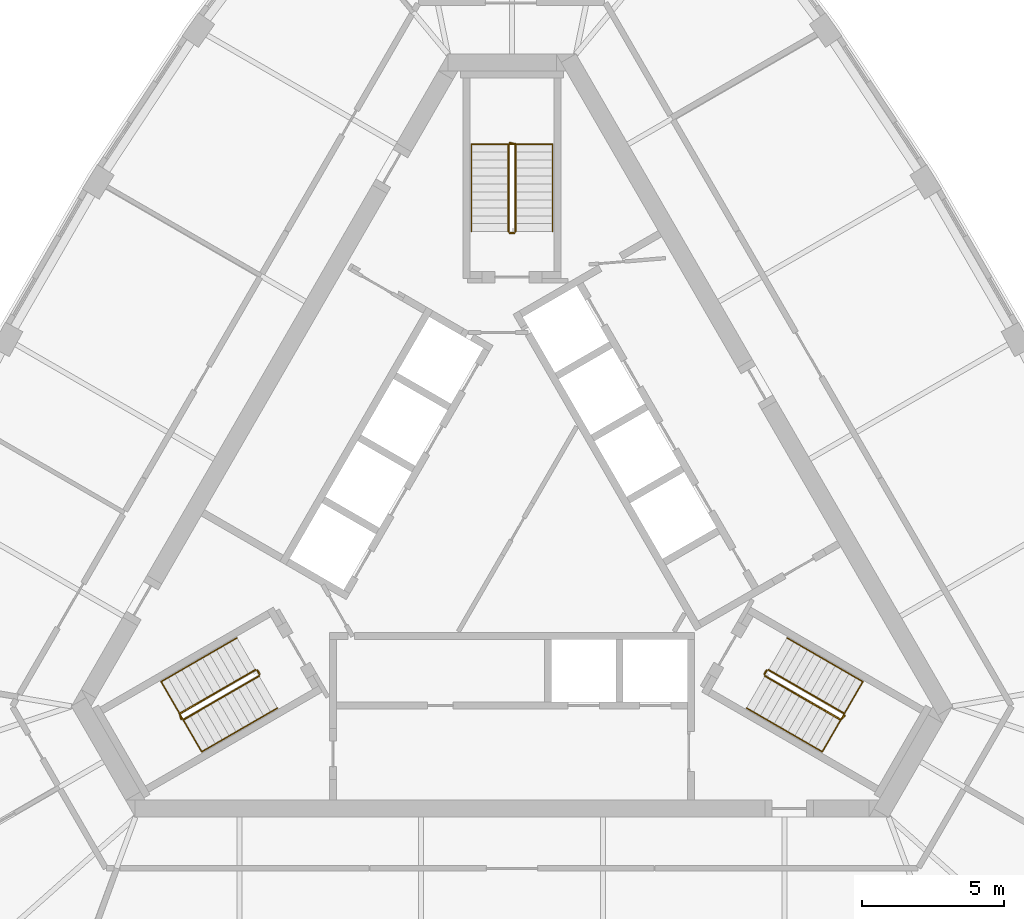
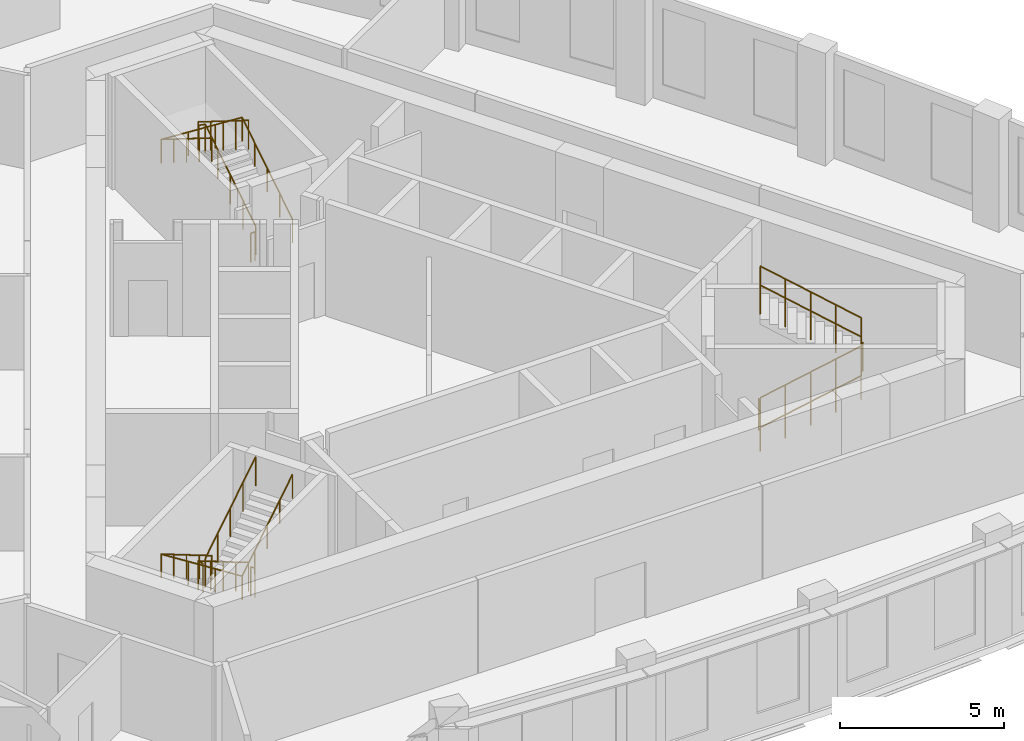
# One storey, part 8 of 8: 12 railings.
"""IFC4 building model written with IfcOpenShell, lengths in metres."""

from ifc_helpers import new_model, si_unit, direction, frame, origin, origin_2d, place, context, subcontext, project, spatial, circle, extrude, material, type_object, element, save


model = new_model("IFC4")

# Units and contexts
model_context = context("Model", 3, precision=1e-05, world=origin(), true_north=direction((0.0, 1.0)))
body_context = subcontext(model_context, "Body", "Model", "MODEL_VIEW")
ifc_project = project(units=[si_unit("LENGTHUNIT", "METRE"), si_unit("AREAUNIT", "SQUARE_METRE"), si_unit("VOLUMEUNIT", "CUBIC_METRE"), si_unit("PLANEANGLEUNIT", "RADIAN"), si_unit("MASSUNIT", "GRAM", prefix="KILO")], contexts=[model_context])

# Site, building, storey
site_placement = place(None, origin())
site = spatial("IfcSite", under=ifc_project, at=site_placement, CompositionType="ELEMENT")
building_placement = place(site_placement, origin())
building = spatial("IfcBuilding", under=site, at=building_placement, Name="Mestral Congress Tower", CompositionType="ELEMENT")
storey_placement = place(building_placement, frame((0.0, 0.0, 317.39990234375)))
storey = spatial("IfcBuildingStorey", under=building, at=storey_placement, Name="L74", CompositionType="ELEMENT", Elevation=317.39990234375)

# Railings
ifc_material_1 = material(Name="Steel balustrade", Category="steel")
railing_type_1 = type_object("IfcRailingType", Name="Stair guard 1100", PredefinedType="GUARDRAIL", material=ifc_material_1)
railing_1_placement = place(storey_placement, frame((8.90087890625, -5.283203125, 0.175048828125)))
element("IfcRailing", 1, at=railing_1_placement, inside=storey, type_object=railing_type_1, Name="L74 ST1 stair guard 1", PredefinedType="GUARDRAIL", context=body_context, shape_type="SweptSolid", body=[
    extrude(circle(Radius=0.02392578125, at=origin_2d()), frame((0.0, 0.0, 1.076171875), z_axis=(0.734364028329, -0.424015404183, 0.530019255228), x_axis=(0.500026652407, 0.866010015463, 0.0)), (0.0, 0.0, 1.0), 3.632080078125),
    extrude(circle(Radius=0.02392578125, at=origin_2d()), frame((2.667236328125, -1.5400390625, 3.0009765625), z_axis=(0.695164929852, 0.718850276695, 0.0), x_axis=(-0.718850276695, 0.695164929852, 0.0)), (0.0, 0.0, 1.0), 0.2060546875),
    extrude(circle(Radius=0.02099609375, at=origin_2d()), origin(), (0.0, 0.0, 1.0), 1.052001953125),
    extrude(circle(Radius=0.02099609375, at=origin_2d()), frame((0.666748046875, -0.385009765625, 0.481201171875)), (0.0, 0.0, 1.0), 1.052001953125),
    extrude(circle(Radius=0.02099609375, at=origin_2d()), frame((1.33349609375, -0.77001953125, 0.96240234375)), (0.0, 0.0, 1.0), 1.052001953125),
    extrude(circle(Radius=0.02099609375, at=origin_2d()), frame((2.00048828125, -1.155029296875, 1.44384765625)), (0.0, 0.0, 1.0), 1.052001953125),
    extrude(circle(Radius=0.02099609375, at=origin_2d()), frame((2.667236328125, -1.5400390625, 1.925048828125)), (0.0, 0.0, 1.0), 1.052001953125),
    extrude(circle(Radius=0.02099609375, at=origin_2d()), frame((2.810546875, -1.391845703125, 1.925048828125)), (0.0, 0.0, 1.0), 1.052001953125),
])
railing_2_placement = place(storey_placement, frame((11.693115234375, -6.606689453125, 2.275146484375)))
element("IfcRailing", 2, at=railing_2_placement, inside=storey, type_object=railing_type_1, Name="L74 ST1 stair guard 2", PredefinedType="GUARDRAIL", context=body_context, shape_type="SweptSolid", body=[
    extrude(circle(Radius=0.02392578125, at=origin_2d()), frame((0.0, 0.0, 1.076171875), z_axis=(-0.734364028329, 0.424015404183, 0.530019255228), x_axis=(-0.500026652407, -0.866010015463, 0.0)), (0.0, 0.0, 1.0), 3.632080078125),
    extrude(circle(Radius=0.02099609375, at=origin_2d()), origin(), (0.0, 0.0, 1.0), 1.052001953125),
    extrude(circle(Radius=0.02099609375, at=origin_2d()), frame((-0.666748046875, 0.385009765625, 0.481201171875)), (0.0, 0.0, 1.0), 1.052001953125),
    extrude(circle(Radius=0.02099609375, at=origin_2d()), frame((-1.33349609375, 0.77001953125, 0.96240234375)), (0.0, 0.0, 1.0), 1.052001953125),
    extrude(circle(Radius=0.02099609375, at=origin_2d()), frame((-2.00048828125, 1.155029296875, 1.44384765625)), (0.0, 0.0, 1.0), 1.052001953125),
    extrude(circle(Radius=0.02099609375, at=origin_2d()), frame((-2.667236328125, 1.5400390625, 1.925048828125)), (0.0, 0.0, 1.0), 1.052001953125),
])
railing_3_placement = place(storey_placement, frame((8.882568359375, -5.21484375, 0.0)))
element("IfcRailing", 3, at=railing_3_placement, inside=storey, type_object=railing_type_1, Name="L74 ST1 stair guard 3", PredefinedType="GUARDRAIL", context=body_context, shape_type="SweptSolid", body=[
    extrude(circle(Radius=0.02392578125, at=origin_2d()), frame((0.0, 0.0, 1.076171875), z_axis=(0.499816412211, 0.866131372301, 0.0), x_axis=(-0.866131372301, 0.499816412211, 0.0)), (0.0, 0.0, 1.0), 0.14990234375),
    extrude(circle(Radius=0.02099609375, at=origin_2d()), origin(), (0.0, 0.0, 1.0), 1.052001953125),
    extrude(circle(Radius=0.02099609375, at=origin_2d()), frame((0.074951171875, 0.1298828125, 0.0)), (0.0, 0.0, 1.0), 1.052001953125),
])
railing_4_placement = place(storey_placement, frame((0.125, 10.35009765625, 0.175048828125)))
element("IfcRailing", 4, at=railing_4_placement, inside=storey, type_object=railing_type_1, Name="L74 ST2 stair guard 1", PredefinedType="GUARDRAIL", context=body_context, shape_type="SweptSolid", body=[
    extrude(circle(Radius=0.02392578125, at=origin_2d()), frame((0.0, 0.0, 1.076171875), z_axis=(0.0, 0.847979421464, 0.530029150871), x_axis=(-1.0, 0.0, 0.0)), (0.0, 0.0, 1.0), 3.632080078125),
    extrude(circle(Radius=0.02392578125, at=origin_2d()), frame((0.0, 3.079833984375, 3.0009765625), z_axis=(-0.970072785993, 0.242814311512, 0.0), x_axis=(-0.242814311512, -0.970072785993, 0.0)), (0.0, 0.0, 1.0), 0.2060546875),
    extrude(circle(Radius=0.02099609375, at=origin_2d()), origin(), (0.0, 0.0, 1.0), 1.052001953125),
    extrude(circle(Radius=0.02099609375, at=origin_2d()), frame((0.0, 0.77001953125, 0.481201171875)), (0.0, 0.0, 1.0), 1.052001953125),
    extrude(circle(Radius=0.02099609375, at=origin_2d()), frame((0.0, 1.5400390625, 0.96240234375)), (0.0, 0.0, 1.0), 1.052001953125),
    extrude(circle(Radius=0.02099609375, at=origin_2d()), frame((0.0, 2.309814453125, 1.44384765625)), (0.0, 0.0, 1.0), 1.052001953125),
    extrude(circle(Radius=0.02099609375, at=origin_2d()), frame((0.0, 3.079833984375, 1.925048828125)), (0.0, 0.0, 1.0), 1.052001953125),
    extrude(circle(Radius=0.02099609375, at=origin_2d()), frame((-0.199951171875, 3.1298828125, 1.925048828125)), (0.0, 0.0, 1.0), 1.052001953125),
])
railing_5_placement = place(storey_placement, frame((-0.125, 13.429931640625, 2.275146484375)))
element("IfcRailing", 5, at=railing_5_placement, inside=storey, type_object=railing_type_1, Name="L74 ST2 stair guard 2", PredefinedType="GUARDRAIL", context=body_context, shape_type="SweptSolid", body=[
    extrude(circle(Radius=0.02392578125, at=origin_2d()), frame((0.0, 0.0, 1.076171875), z_axis=(0.0, -0.847979421464, 0.530029150871), x_axis=(1.0, 0.0, 0.0)), (0.0, 0.0, 1.0), 3.632080078125),
    extrude(circle(Radius=0.02099609375, at=origin_2d()), origin(), (0.0, 0.0, 1.0), 1.052001953125),
    extrude(circle(Radius=0.02099609375, at=origin_2d()), frame((0.0, -0.77001953125, 0.481201171875)), (0.0, 0.0, 1.0), 1.052001953125),
    extrude(circle(Radius=0.02099609375, at=origin_2d()), frame((0.0, -1.5400390625, 0.96240234375)), (0.0, 0.0, 1.0), 1.052001953125),
    extrude(circle(Radius=0.02099609375, at=origin_2d()), frame((0.0, -2.309814453125, 1.44384765625)), (0.0, 0.0, 1.0), 1.052001953125),
    extrude(circle(Radius=0.02099609375, at=origin_2d()), frame((0.0, -3.079833984375, 1.925048828125)), (0.0, 0.0, 1.0), 1.052001953125),
])
railing_6_placement = place(storey_placement, frame((0.074951171875, 10.300048828125, 0.0)))
element("IfcRailing", 6, at=railing_6_placement, inside=storey, type_object=railing_type_1, Name="L74 ST2 stair guard 3", PredefinedType="GUARDRAIL", context=body_context, shape_type="SweptSolid", body=[
    extrude(circle(Radius=0.02392578125, at=origin_2d()), frame((0.0, 0.0, 1.076171875), z_axis=(-1.0, 0.0, 0.0), x_axis=(0.0, -1.0, 0.0)), (0.0, 0.0, 1.0), 0.14990234375),
    extrude(circle(Radius=0.02099609375, at=origin_2d()), origin(), (0.0, 0.0, 1.0), 1.052001953125),
    extrude(circle(Radius=0.02099609375, at=origin_2d()), frame((-0.14990234375, 0.0, 0.0)), (0.0, 0.0, 1.0), 1.052001953125),
])
railing_7_placement = place(storey_placement, frame((-9.02587890625, -5.066650390625, 0.175048828125)))
element("IfcRailing", 7, at=railing_7_placement, inside=storey, type_object=railing_type_1, Name="L74 ST3 stair guard 1", PredefinedType="GUARDRAIL", context=body_context, shape_type="SweptSolid", body=[
    extrude(circle(Radius=0.02392578125, at=origin_2d()), frame((0.0, 0.0, 1.076171875), z_axis=(-0.734364028329, -0.424015404183, 0.530019255228), x_axis=(0.500026652407, -0.866010015463, 0.0)), (0.0, 0.0, 1.0), 3.632080078125),
    extrude(circle(Radius=0.02392578125, at=origin_2d()), frame((-2.667236328125, -1.5400390625, 3.0009765625), z_axis=(0.274721127897, -0.961523947641, 0.0), x_axis=(0.961523947641, 0.274721127897, 0.0)), (0.0, 0.0, 1.0), 0.2060546875),
    extrude(circle(Radius=0.02099609375, at=origin_2d()), origin(), (0.0, 0.0, 1.0), 1.052001953125),
    extrude(circle(Radius=0.02099609375, at=origin_2d()), frame((-0.666748046875, -0.385009765625, 0.481201171875)), (0.0, 0.0, 1.0), 1.052001953125),
    extrude(circle(Radius=0.02099609375, at=origin_2d()), frame((-1.33349609375, -0.77001953125, 0.96240234375)), (0.0, 0.0, 1.0), 1.052001953125),
    extrude(circle(Radius=0.02099609375, at=origin_2d()), frame((-2.00048828125, -1.155029296875, 1.44384765625)), (0.0, 0.0, 1.0), 1.052001953125),
    extrude(circle(Radius=0.02099609375, at=origin_2d()), frame((-2.667236328125, -1.5400390625, 1.925048828125)), (0.0, 0.0, 1.0), 1.052001953125),
    extrude(circle(Radius=0.02099609375, at=origin_2d()), frame((-2.610595703125, -1.73828125, 1.925048828125)), (0.0, 0.0, 1.0), 1.052001953125),
])
railing_8_placement = place(storey_placement, frame((-11.568115234375, -6.8232421875, 2.275146484375)))
element("IfcRailing", 8, at=railing_8_placement, inside=storey, type_object=railing_type_1, Name="L74 ST3 stair guard 2", PredefinedType="GUARDRAIL", context=body_context, shape_type="SweptSolid", body=[
    extrude(circle(Radius=0.02392578125, at=origin_2d()), frame((0.0, 0.0, 1.076171875), z_axis=(0.734364028329, 0.424015404183, 0.530019255228), x_axis=(-0.500026652407, 0.866010015463, 0.0)), (0.0, 0.0, 1.0), 3.632080078125),
    extrude(circle(Radius=0.02099609375, at=origin_2d()), origin(), (0.0, 0.0, 1.0), 1.052001953125),
    extrude(circle(Radius=0.02099609375, at=origin_2d()), frame((0.666748046875, 0.385009765625, 0.481201171875)), (0.0, 0.0, 1.0), 1.052001953125),
    extrude(circle(Radius=0.02099609375, at=origin_2d()), frame((1.33349609375, 0.77001953125, 0.96240234375)), (0.0, 0.0, 1.0), 1.052001953125),
    extrude(circle(Radius=0.02099609375, at=origin_2d()), frame((2.00048828125, 1.155029296875, 1.44384765625)), (0.0, 0.0, 1.0), 1.052001953125),
    extrude(circle(Radius=0.02099609375, at=origin_2d()), frame((2.667236328125, 1.5400390625, 1.925048828125)), (0.0, 0.0, 1.0), 1.052001953125),
])
railing_9_placement = place(storey_placement, frame((-8.95751953125, -5.0849609375, 0.0)))
element("IfcRailing", 9, at=railing_9_placement, inside=storey, type_object=railing_type_1, Name="L74 ST3 stair guard 3", PredefinedType="GUARDRAIL", context=body_context, shape_type="SweptSolid", body=[
    extrude(circle(Radius=0.02392578125, at=origin_2d()), frame((0.0, 0.0, 1.076171875), z_axis=(0.499816412211, -0.866131372301, 0.0), x_axis=(0.866131372301, 0.499816412211, 0.0)), (0.0, 0.0, 1.0), 0.14990234375),
    extrude(circle(Radius=0.02099609375, at=origin_2d()), origin(), (0.0, 0.0, 1.0), 1.052001953125),
    extrude(circle(Radius=0.02099609375, at=origin_2d()), frame((0.074951171875, -0.1298828125, 0.0)), (0.0, 0.0, 1.0), 1.052001953125),
])
ifc_material_2 = material(Name="Steel handrail", Category="steel")
railing_type_2 = type_object("IfcRailingType", Name="Stair handrail 900", PredefinedType="HANDRAIL", material=ifc_material_2)
railing_10_placement = place(storey_placement, frame((8.2509765625, -6.4091796875, 0.175048828125)))
element("IfcRailing", 10, at=railing_10_placement, inside=storey, type_object=railing_type_2, Name="L74 ST1 stair handrail 1", PredefinedType="HANDRAIL", context=body_context, shape_type="SweptSolid", body=[
    extrude(circle(Radius=0.02392578125, at=origin_2d()), frame((0.0, 0.0, 0.8759765625), z_axis=(0.734384958227, -0.423960268333, 0.530034361155), x_axis=(0.499967199496, 0.866044340336, 0.0)), (0.0, 0.0, 1.0), 3.6318359375),
    extrude(circle(Radius=0.02392578125, at=origin_2d()), frame((2.667236328125, -1.539794921875, 2.80078125), z_axis=(0.499095769026, 0.864375386171, 0.061307463833), x_axis=(-0.866004402611, 0.500036373335, 0.0)), (0.0, 0.0, 1.0), 2.855224609375),
    extrude(circle(Radius=0.02392578125, at=origin_2d()), frame((4.09228515625, 0.92822265625, 2.97607421875), z_axis=(-0.734394994316, 0.423994474112, 0.52999309264), x_axis=(-0.499992328818, -0.866029832698, 0.0)), (0.0, 0.0, 1.0), 3.63232421875),
    extrude(circle(Radius=0.02099609375, at=origin_2d()), origin(), (0.0, 0.0, 1.0), 0.851806640625),
    extrude(circle(Radius=0.02099609375, at=origin_2d()), frame((0.666748046875, -0.385009765625, 0.481201171875)), (0.0, 0.0, 1.0), 0.851806640625),
    extrude(circle(Radius=0.02099609375, at=origin_2d()), frame((1.33349609375, -0.77001953125, 0.96240234375)), (0.0, 0.0, 1.0), 0.851806640625),
    extrude(circle(Radius=0.02099609375, at=origin_2d()), frame((2.00048828125, -1.15478515625, 1.44384765625)), (0.0, 0.0, 1.0), 0.851806640625),
    extrude(circle(Radius=0.02099609375, at=origin_2d()), frame((2.667236328125, -1.539794921875, 1.925048828125)), (0.0, 0.0, 1.0), 0.851806640625),
    extrude(circle(Radius=0.02099609375, at=origin_2d()), frame((3.142333984375, -0.717041015625, 1.9833984375)), (0.0, 0.0, 1.0), 0.851806640625),
    extrude(circle(Radius=0.02099609375, at=origin_2d()), frame((3.6171875, 0.10546875, 2.041748046875)), (0.0, 0.0, 1.0), 0.851806640625),
    extrude(circle(Radius=0.02099609375, at=origin_2d()), frame((4.09228515625, 0.92822265625, 2.10009765625)), (0.0, 0.0, 1.0), 0.851806640625),
    extrude(circle(Radius=0.02099609375, at=origin_2d()), frame((3.42529296875, 1.313232421875, 2.581298828125)), (0.0, 0.0, 1.0), 0.851806640625),
    extrude(circle(Radius=0.02099609375, at=origin_2d()), frame((2.758544921875, 1.6982421875, 3.0625)), (0.0, 0.0, 1.0), 0.851806640625),
    extrude(circle(Radius=0.02099609375, at=origin_2d()), frame((2.091796875, 2.083251953125, 3.5439453125)), (0.0, 0.0, 1.0), 0.851806640625),
    extrude(circle(Radius=0.02099609375, at=origin_2d()), frame((1.4248046875, 2.46826171875, 4.025146484375)), (0.0, 0.0, 1.0), 0.851806640625),
])
railing_11_placement = place(storey_placement, frame((1.425048828125, 10.35009765625, 0.175048828125)))
element("IfcRailing", 11, at=railing_11_placement, inside=storey, type_object=railing_type_2, Name="L74 ST2 stair handrail 1", PredefinedType="HANDRAIL", context=body_context, shape_type="SweptSolid", body=[
    extrude(circle(Radius=0.02392578125, at=origin_2d()), frame((0.0, 0.0, 0.8759765625), z_axis=(0.0, 0.847979421464, 0.530029150871), x_axis=(-1.0, 0.0, 0.0)), (0.0, 0.0, 1.0), 3.632080078125),
    extrude(circle(Radius=0.02392578125, at=origin_2d()), frame((0.0, 3.079833984375, 2.80078125), z_axis=(-0.998119201106, 0.0, 0.061303021003), x_axis=(0.0, -1.0, 0.0)), (0.0, 0.0, 1.0), 2.85546875),
    extrude(circle(Radius=0.02392578125, at=origin_2d()), frame((-2.85009765625, 3.079833984375, 2.97607421875), z_axis=(0.0, -0.847979421464, 0.530029150871), x_axis=(1.0, 0.0, 0.0)), (0.0, 0.0, 1.0), 3.632080078125),
    extrude(circle(Radius=0.02099609375, at=origin_2d()), origin(), (0.0, 0.0, 1.0), 0.851806640625),
    extrude(circle(Radius=0.02099609375, at=origin_2d()), frame((0.0, 0.77001953125, 0.481201171875)), (0.0, 0.0, 1.0), 0.851806640625),
    extrude(circle(Radius=0.02099609375, at=origin_2d()), frame((0.0, 1.5400390625, 0.96240234375)), (0.0, 0.0, 1.0), 0.851806640625),
    extrude(circle(Radius=0.02099609375, at=origin_2d()), frame((0.0, 2.309814453125, 1.44384765625)), (0.0, 0.0, 1.0), 0.851806640625),
    extrude(circle(Radius=0.02099609375, at=origin_2d()), frame((0.0, 3.079833984375, 1.925048828125)), (0.0, 0.0, 1.0), 0.851806640625),
    extrude(circle(Radius=0.02099609375, at=origin_2d()), frame((-0.949951171875, 3.079833984375, 1.9833984375)), (0.0, 0.0, 1.0), 0.851806640625),
    extrude(circle(Radius=0.02099609375, at=origin_2d()), frame((-1.900146484375, 3.079833984375, 2.041748046875)), (0.0, 0.0, 1.0), 0.851806640625),
    extrude(circle(Radius=0.02099609375, at=origin_2d()), frame((-2.85009765625, 3.079833984375, 2.10009765625)), (0.0, 0.0, 1.0), 0.851806640625),
    extrude(circle(Radius=0.02099609375, at=origin_2d()), frame((-2.85009765625, 2.309814453125, 2.581298828125)), (0.0, 0.0, 1.0), 0.851806640625),
    extrude(circle(Radius=0.02099609375, at=origin_2d()), frame((-2.85009765625, 1.5400390625, 3.0625)), (0.0, 0.0, 1.0), 0.851806640625),
    extrude(circle(Radius=0.02099609375, at=origin_2d()), frame((-2.85009765625, 0.77001953125, 3.5439453125)), (0.0, 0.0, 1.0), 0.851806640625),
    extrude(circle(Radius=0.02099609375, at=origin_2d()), frame((-2.85009765625, 0.0, 4.025146484375)), (0.0, 0.0, 1.0), 0.851806640625),
])
railing_12_placement = place(storey_placement, frame((-9.67578125, -3.94091796875, 0.175048828125)))
element("IfcRailing", 12, at=railing_12_placement, inside=storey, type_object=railing_type_2, Name="L74 ST3 stair handrail 1", PredefinedType="HANDRAIL", context=body_context, shape_type="SweptSolid", body=[
    extrude(circle(Radius=0.02392578125, at=origin_2d()), frame((0.0, 0.0, 0.8759765625), z_axis=(-0.734394994316, -0.423994474112, 0.52999309264), x_axis=(0.499992328818, -0.866029832698, 0.0)), (0.0, 0.0, 1.0), 3.63232421875),
    extrude(circle(Radius=0.02392578125, at=origin_2d()), frame((-2.66748046875, -1.5400390625, 2.80078125), z_axis=(0.499095769026, -0.864375386171, 0.061307463833), x_axis=(0.866004402611, 0.500036373335, 0.0)), (0.0, 0.0, 1.0), 2.855224609375),
    extrude(circle(Radius=0.02392578125, at=origin_2d()), frame((-1.242431640625, -4.008056640625, 2.97607421875), z_axis=(0.734384958227, 0.423960268333, 0.530034361155), x_axis=(-0.499967199496, 0.866044340336, 0.0)), (0.0, 0.0, 1.0), 3.6318359375),
    extrude(circle(Radius=0.02099609375, at=origin_2d()), origin(), (0.0, 0.0, 1.0), 0.851806640625),
    extrude(circle(Radius=0.02099609375, at=origin_2d()), frame((-0.6669921875, -0.385009765625, 0.481201171875)), (0.0, 0.0, 1.0), 0.851806640625),
    extrude(circle(Radius=0.02099609375, at=origin_2d()), frame((-1.333740234375, -0.77001953125, 0.96240234375)), (0.0, 0.0, 1.0), 0.851806640625),
    extrude(circle(Radius=0.02099609375, at=origin_2d()), frame((-2.00048828125, -1.155029296875, 1.44384765625)), (0.0, 0.0, 1.0), 0.851806640625),
    extrude(circle(Radius=0.02099609375, at=origin_2d()), frame((-2.66748046875, -1.5400390625, 1.925048828125)), (0.0, 0.0, 1.0), 0.851806640625),
    extrude(circle(Radius=0.02099609375, at=origin_2d()), frame((-2.1923828125, -2.36279296875, 1.9833984375)), (0.0, 0.0, 1.0), 0.851806640625),
    extrude(circle(Radius=0.02099609375, at=origin_2d()), frame((-1.717529296875, -3.185302734375, 2.041748046875)), (0.0, 0.0, 1.0), 0.851806640625),
    extrude(circle(Radius=0.02099609375, at=origin_2d()), frame((-1.242431640625, -4.008056640625, 2.10009765625)), (0.0, 0.0, 1.0), 0.851806640625),
    extrude(circle(Radius=0.02099609375, at=origin_2d()), frame((-0.57568359375, -3.623046875, 2.581298828125)), (0.0, 0.0, 1.0), 0.851806640625),
    extrude(circle(Radius=0.02099609375, at=origin_2d()), frame((0.09130859375, -3.23828125, 3.0625)), (0.0, 0.0, 1.0), 0.851806640625),
    extrude(circle(Radius=0.02099609375, at=origin_2d()), frame((0.758056640625, -2.853271484375, 3.5439453125)), (0.0, 0.0, 1.0), 0.851806640625),
    extrude(circle(Radius=0.02099609375, at=origin_2d()), frame((1.4248046875, -2.46826171875, 4.025146484375)), (0.0, 0.0, 1.0), 0.851806640625),
])

save(model, "model.ifc")
